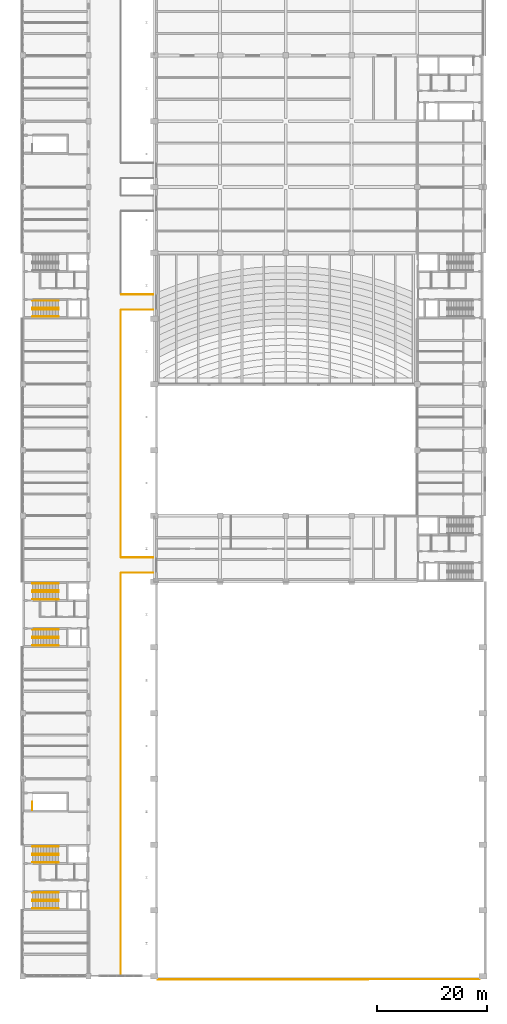
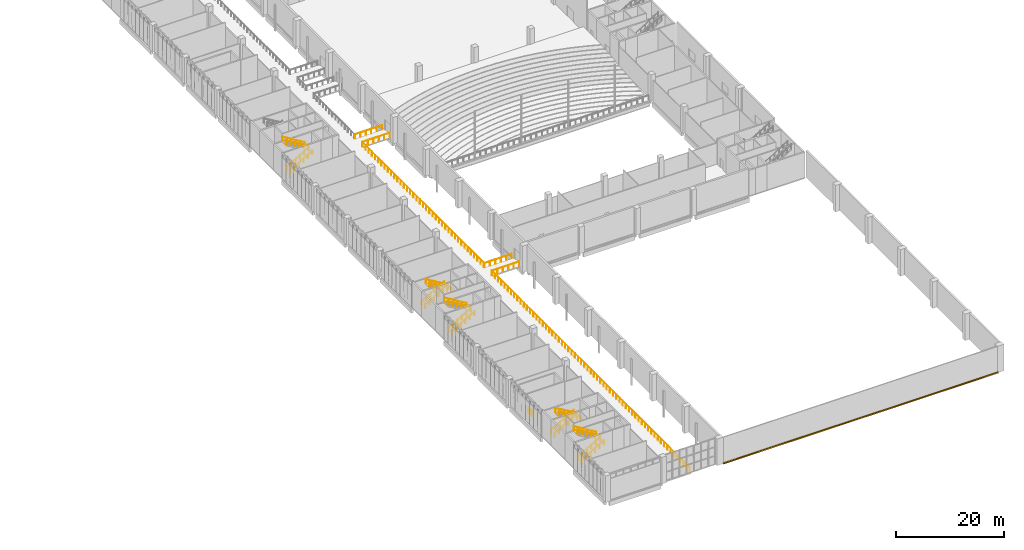
# One storey, part 70 of 72: 27 railings, 1 covering.
"""IFC4 building model written with IfcOpenShell, lengths in metres."""

from ifc_helpers import new_model, si_unit, direction, frame, frame_2d, origin, origin_2d, place, context, subcontext, project, spatial, rectangle, circle, extrude, material, layer, layer_set, constituent, constituent_set, type_object, element, save


model = new_model("IFC4")

# Units and contexts
model_context = context("Model", 3, precision=1e-05, world=origin(), true_north=direction((0.0, 1.0)))
body_context = subcontext(model_context, "Body", "Model", "MODEL_VIEW")
ifc_project = project(units=[si_unit("LENGTHUNIT", "METRE"), si_unit("AREAUNIT", "SQUARE_METRE"), si_unit("VOLUMEUNIT", "CUBIC_METRE"), si_unit("PLANEANGLEUNIT", "RADIAN"), si_unit("MASSUNIT", "GRAM", prefix="KILO")], contexts=[model_context])

# Site, building, storey
site_placement = place(None, origin())
site = spatial("IfcSite", under=ifc_project, at=site_placement, CompositionType="ELEMENT")
building_placement = place(site_placement, origin())
building = spatial("IfcBuilding", under=site, at=building_placement, Name="Lilac Gate Convention Centre", CompositionType="ELEMENT")
storey_placement = place(building_placement, frame((0.0, 0.0, 6.0)))
storey = spatial("IfcBuildingStorey", under=building, at=storey_placement, Name="L01", CompositionType="ELEMENT", Elevation=6.0)

# Covering
ifc_material_1 = material(Name="Concrete C40 precast", Category="concrete")
ifc_layer_1 = layer(ifc_material_1, 0.1298828125)
ifc_material_2 = material(Name="Ochre mineral render")
ifc_layer_2 = layer(ifc_material_2, 0.02001953125)
ifc_layer_set = layer_set([ifc_layer_1, ifc_layer_2], Name="Concrete C40 precast, Ochre mineral render")
covering_type = type_object("IfcCoveringType", Name="Cladding band ochre 150", PredefinedType="CLADDING", material=ifc_layer_set)
covering_placement = place(storey_placement, frame((30.60009765625, 29.375, 0.0), z_axis=(0.0, 0.0, 1.0), x_axis=(1.0, 0.0, 0.0)))
element("IfcCovering", 1, at=covering_placement, inside=storey, type_object=covering_type, Name="Precast band hall south 1", PredefinedType="CLADDING", context=body_context, shape_type="SweptSolid", body=[
    extrude(rectangle(XDim=58.7998046875, YDim=0.14990234375, at=frame_2d((29.39990234375, 0.0))), origin(), (0.0, 0.0, 1.0), 0.300048828125),
])

# Railings
ifc_material_3 = material(Name="Steel Q235B", Category="steel")
ifc_constituent_1 = constituent(ifc_material_3, Name="Frame")
ifc_material_4 = material(Name="Safety glass, bonded interlayer", Category="glass")
ifc_constituent_2 = constituent(ifc_material_4, Name="Infill")
ifc_constituent_set = constituent_set(constituents=[ifc_constituent_1, ifc_constituent_2], Name="Steel Q235B, Safety glass, bonded interlayer")
railing_type_1 = type_object("IfcRailingType", Name="Guard 1100 steel and glass", PredefinedType="GUARDRAIL", material=ifc_constituent_set)
railing_1_placement = place(storey_placement, frame((7.75, 60.300048828125, 0.0)))
element("IfcRailing", 2, at=railing_1_placement, inside=storey, type_object=railing_type_1, Name="Stairwell guard UW1", PredefinedType="GUARDRAIL", context=body_context, shape_type="SweptSolid", body=[
    extrude(circle(Radius=0.02392578125, at=origin_2d()), frame((0.0, 0.0, 1.076171875), z_axis=(0.0, 1.0, 0.0), x_axis=(-1.0, 0.0, 0.0)), (0.0, 0.0, 1.0), 1.5),
    extrude(circle(Radius=0.02099609375, at=origin_2d()), origin(), (0.0, 0.0, 1.0), 1.052001953125),
    extrude(circle(Radius=0.02099609375, at=origin_2d()), frame((0.0, 0.75, 0.0)), (0.0, 0.0, 1.0), 1.052001953125),
    extrude(circle(Radius=0.02099609375, at=origin_2d()), frame((0.0, 1.5, 0.0)), (0.0, 0.0, 1.0), 1.052001953125),
])
railing_2_placement = place(storey_placement, frame((23.89990234375, 30.199951171875, 0.0)))
element("IfcRailing", 3, at=railing_2_placement, inside=storey, type_object=railing_type_1, Name="Gallery guard L01", PredefinedType="GUARDRAIL", context=body_context, shape_type="SweptSolid", body=[
    extrude(circle(Radius=0.02392578125, at=origin_2d()), frame((0.0, 0.0, 1.076171875), z_axis=(0.0, 1.0, 0.0), x_axis=(-1.0, 0.0, 0.0)), (0.0, 0.0, 1.0), 73.300048828125),
    extrude(circle(Radius=0.02099609375, at=origin_2d()), origin(), (0.0, 0.0, 1.0), 1.052001953125),
    extrude(circle(Radius=0.02099609375, at=origin_2d()), frame((0.0, 1.182373046875, 0.0)), (0.0, 0.0, 1.0), 1.052001953125),
    extrude(circle(Radius=0.02099609375, at=origin_2d()), frame((0.0, 2.364501953125, 0.0)), (0.0, 0.0, 1.0), 1.052001953125),
    extrude(circle(Radius=0.02099609375, at=origin_2d()), frame((0.0, 3.546875, 0.0)), (0.0, 0.0, 1.0), 1.052001953125),
    extrude(circle(Radius=0.02099609375, at=origin_2d()), frame((0.0, 4.72900390625, 0.0)), (0.0, 0.0, 1.0), 1.052001953125),
    extrude(circle(Radius=0.02099609375, at=origin_2d()), frame((0.0, 5.911376953125, 0.0)), (0.0, 0.0, 1.0), 1.052001953125),
    extrude(circle(Radius=0.02099609375, at=origin_2d()), frame((0.0, 7.093505859375, 0.0)), (0.0, 0.0, 1.0), 1.052001953125),
    extrude(circle(Radius=0.02099609375, at=origin_2d()), frame((0.0, 8.27587890625, 0.0)), (0.0, 0.0, 1.0), 1.052001953125),
    extrude(circle(Radius=0.02099609375, at=origin_2d()), frame((0.0, 9.4580078125, 0.0)), (0.0, 0.0, 1.0), 1.052001953125),
    extrude(circle(Radius=0.02099609375, at=origin_2d()), frame((0.0, 10.640380859375, 0.0)), (0.0, 0.0, 1.0), 1.052001953125),
    extrude(circle(Radius=0.02099609375, at=origin_2d()), frame((0.0, 11.822509765625, 0.0)), (0.0, 0.0, 1.0), 1.052001953125),
    extrude(circle(Radius=0.02099609375, at=origin_2d()), frame((0.0, 13.0048828125, 0.0)), (0.0, 0.0, 1.0), 1.052001953125),
    extrude(circle(Radius=0.02099609375, at=origin_2d()), frame((0.0, 14.18701171875, 0.0)), (0.0, 0.0, 1.0), 1.052001953125),
    extrude(circle(Radius=0.02099609375, at=origin_2d()), frame((0.0, 15.369384765625, 0.0)), (0.0, 0.0, 1.0), 1.052001953125),
    extrude(circle(Radius=0.02099609375, at=origin_2d()), frame((0.0, 16.551513671875, 0.0)), (0.0, 0.0, 1.0), 1.052001953125),
    extrude(circle(Radius=0.02099609375, at=origin_2d()), frame((0.0, 17.73388671875, 0.0)), (0.0, 0.0, 1.0), 1.052001953125),
    extrude(circle(Radius=0.02099609375, at=origin_2d()), frame((0.0, 18.916259765625, 0.0)), (0.0, 0.0, 1.0), 1.052001953125),
    extrude(circle(Radius=0.02099609375, at=origin_2d()), frame((0.0, 20.098388671875, 0.0)), (0.0, 0.0, 1.0), 1.052001953125),
    extrude(circle(Radius=0.02099609375, at=origin_2d()), frame((0.0, 21.28076171875, 0.0)), (0.0, 0.0, 1.0), 1.052001953125),
    extrude(circle(Radius=0.02099609375, at=origin_2d()), frame((0.0, 22.462890625, 0.0)), (0.0, 0.0, 1.0), 1.052001953125),
    extrude(circle(Radius=0.02099609375, at=origin_2d()), frame((0.0, 23.645263671875, 0.0)), (0.0, 0.0, 1.0), 1.052001953125),
    extrude(circle(Radius=0.02099609375, at=origin_2d()), frame((0.0, 24.827392578125, 0.0)), (0.0, 0.0, 1.0), 1.052001953125),
    extrude(circle(Radius=0.02099609375, at=origin_2d()), frame((0.0, 26.009765625, 0.0)), (0.0, 0.0, 1.0), 1.052001953125),
    extrude(circle(Radius=0.02099609375, at=origin_2d()), frame((0.0, 27.19189453125, 0.0)), (0.0, 0.0, 1.0), 1.052001953125),
    extrude(circle(Radius=0.02099609375, at=origin_2d()), frame((0.0, 28.374267578125, 0.0)), (0.0, 0.0, 1.0), 1.052001953125),
    extrude(circle(Radius=0.02099609375, at=origin_2d()), frame((0.0, 29.556396484375, 0.0)), (0.0, 0.0, 1.0), 1.052001953125),
    extrude(circle(Radius=0.02099609375, at=origin_2d()), frame((0.0, 30.73876953125, 0.0)), (0.0, 0.0, 1.0), 1.052001953125),
    extrude(circle(Radius=0.02099609375, at=origin_2d()), frame((0.0, 31.9208984375, 0.0)), (0.0, 0.0, 1.0), 1.052001953125),
    extrude(circle(Radius=0.02099609375, at=origin_2d()), frame((0.0, 33.103271484375, 0.0)), (0.0, 0.0, 1.0), 1.052001953125),
    extrude(circle(Radius=0.02099609375, at=origin_2d()), frame((0.0, 34.285400390625, 0.0)), (0.0, 0.0, 1.0), 1.052001953125),
    extrude(circle(Radius=0.02099609375, at=origin_2d()), frame((0.0, 35.4677734375, 0.0)), (0.0, 0.0, 1.0), 1.052001953125),
    extrude(circle(Radius=0.02099609375, at=origin_2d()), frame((0.0, 36.64990234375, 0.0)), (0.0, 0.0, 1.0), 1.052001953125),
    extrude(circle(Radius=0.02099609375, at=origin_2d()), frame((0.0, 37.832275390625, 0.0)), (0.0, 0.0, 1.0), 1.052001953125),
    extrude(circle(Radius=0.02099609375, at=origin_2d()), frame((0.0, 39.0146484375, 0.0)), (0.0, 0.0, 1.0), 1.052001953125),
    extrude(circle(Radius=0.02099609375, at=origin_2d()), frame((0.0, 40.19677734375, 0.0)), (0.0, 0.0, 1.0), 1.052001953125),
    extrude(circle(Radius=0.02099609375, at=origin_2d()), frame((0.0, 41.379150390625, 0.0)), (0.0, 0.0, 1.0), 1.052001953125),
    extrude(circle(Radius=0.02099609375, at=origin_2d()), frame((0.0, 42.561279296875, 0.0)), (0.0, 0.0, 1.0), 1.052001953125),
    extrude(circle(Radius=0.02099609375, at=origin_2d()), frame((0.0, 43.74365234375, 0.0)), (0.0, 0.0, 1.0), 1.052001953125),
    extrude(circle(Radius=0.02099609375, at=origin_2d()), frame((0.0, 44.92578125, 0.0)), (0.0, 0.0, 1.0), 1.052001953125),
    extrude(circle(Radius=0.02099609375, at=origin_2d()), frame((0.0, 46.108154296875, 0.0)), (0.0, 0.0, 1.0), 1.052001953125),
    extrude(circle(Radius=0.02099609375, at=origin_2d()), frame((0.0, 47.290283203125, 0.0)), (0.0, 0.0, 1.0), 1.052001953125),
    extrude(circle(Radius=0.02099609375, at=origin_2d()), frame((0.0, 48.47265625, 0.0)), (0.0, 0.0, 1.0), 1.052001953125),
    extrude(circle(Radius=0.02099609375, at=origin_2d()), frame((0.0, 49.65478515625, 0.0)), (0.0, 0.0, 1.0), 1.052001953125),
    extrude(circle(Radius=0.02099609375, at=origin_2d()), frame((0.0, 50.837158203125, 0.0)), (0.0, 0.0, 1.0), 1.052001953125),
    extrude(circle(Radius=0.02099609375, at=origin_2d()), frame((0.0, 52.019287109375, 0.0)), (0.0, 0.0, 1.0), 1.052001953125),
    extrude(circle(Radius=0.02099609375, at=origin_2d()), frame((0.0, 53.20166015625, 0.0)), (0.0, 0.0, 1.0), 1.052001953125),
    extrude(circle(Radius=0.02099609375, at=origin_2d()), frame((0.0, 54.3837890625, 0.0)), (0.0, 0.0, 1.0), 1.052001953125),
    extrude(circle(Radius=0.02099609375, at=origin_2d()), frame((0.0, 55.566162109375, 0.0)), (0.0, 0.0, 1.0), 1.052001953125),
    extrude(circle(Radius=0.02099609375, at=origin_2d()), frame((0.0, 56.74853515625, 0.0)), (0.0, 0.0, 1.0), 1.052001953125),
    extrude(circle(Radius=0.02099609375, at=origin_2d()), frame((0.0, 57.9306640625, 0.0)), (0.0, 0.0, 1.0), 1.052001953125),
    extrude(circle(Radius=0.02099609375, at=origin_2d()), frame((0.0, 59.113037109375, 0.0)), (0.0, 0.0, 1.0), 1.052001953125),
    extrude(circle(Radius=0.02099609375, at=origin_2d()), frame((0.0, 60.295166015625, 0.0)), (0.0, 0.0, 1.0), 1.052001953125),
    extrude(circle(Radius=0.02099609375, at=origin_2d()), frame((0.0, 61.4775390625, 0.0)), (0.0, 0.0, 1.0), 1.052001953125),
    extrude(circle(Radius=0.02099609375, at=origin_2d()), frame((0.0, 62.65966796875, 0.0)), (0.0, 0.0, 1.0), 1.052001953125),
    extrude(circle(Radius=0.02099609375, at=origin_2d()), frame((0.0, 63.842041015625, 0.0)), (0.0, 0.0, 1.0), 1.052001953125),
    extrude(circle(Radius=0.02099609375, at=origin_2d()), frame((0.0, 65.024169921875, 0.0)), (0.0, 0.0, 1.0), 1.052001953125),
    extrude(circle(Radius=0.02099609375, at=origin_2d()), frame((0.0, 66.20654296875, 0.0)), (0.0, 0.0, 1.0), 1.052001953125),
    extrude(circle(Radius=0.02099609375, at=origin_2d()), frame((0.0, 67.388671875, 0.0)), (0.0, 0.0, 1.0), 1.052001953125),
    extrude(circle(Radius=0.02099609375, at=origin_2d()), frame((0.0, 68.571044921875, 0.0)), (0.0, 0.0, 1.0), 1.052001953125),
    extrude(circle(Radius=0.02099609375, at=origin_2d()), frame((0.0, 69.753173828125, 0.0)), (0.0, 0.0, 1.0), 1.052001953125),
    extrude(circle(Radius=0.02099609375, at=origin_2d()), frame((0.0, 70.935546875, 0.0)), (0.0, 0.0, 1.0), 1.052001953125),
    extrude(circle(Radius=0.02099609375, at=origin_2d()), frame((0.0, 72.11767578125, 0.0)), (0.0, 0.0, 1.0), 1.052001953125),
    extrude(circle(Radius=0.02099609375, at=origin_2d()), frame((0.0, 73.300048828125, 0.0)), (0.0, 0.0, 1.0), 1.052001953125),
])
railing_3_placement = place(storey_placement, frame((23.89990234375, 106.5, 0.0)))
element("IfcRailing", 4, at=railing_3_placement, inside=storey, type_object=railing_type_1, Name="Gallery guard L01", PredefinedType="GUARDRAIL", context=body_context, shape_type="SweptSolid", body=[
    extrude(circle(Radius=0.02392578125, at=origin_2d()), frame((0.0, 0.0, 1.076171875), z_axis=(0.0, 1.0, 0.0), x_axis=(-1.0, 0.0, 0.0)), (0.0, 0.0, 1.0), 45.0),
    extrude(circle(Radius=0.02099609375, at=origin_2d()), origin(), (0.0, 0.0, 1.0), 1.052001953125),
    extrude(circle(Radius=0.02099609375, at=origin_2d()), frame((0.0, 1.184326171875, 0.0)), (0.0, 0.0, 1.0), 1.052001953125),
    extrude(circle(Radius=0.02099609375, at=origin_2d()), frame((0.0, 2.368408203125, 0.0)), (0.0, 0.0, 1.0), 1.052001953125),
    extrude(circle(Radius=0.02099609375, at=origin_2d()), frame((0.0, 3.552734375, 0.0)), (0.0, 0.0, 1.0), 1.052001953125),
    extrude(circle(Radius=0.02099609375, at=origin_2d()), frame((0.0, 4.73681640625, 0.0)), (0.0, 0.0, 1.0), 1.052001953125),
    extrude(circle(Radius=0.02099609375, at=origin_2d()), frame((0.0, 5.921142578125, 0.0)), (0.0, 0.0, 1.0), 1.052001953125),
    extrude(circle(Radius=0.02099609375, at=origin_2d()), frame((0.0, 7.105224609375, 0.0)), (0.0, 0.0, 1.0), 1.052001953125),
    extrude(circle(Radius=0.02099609375, at=origin_2d()), frame((0.0, 8.28955078125, 0.0)), (0.0, 0.0, 1.0), 1.052001953125),
    extrude(circle(Radius=0.02099609375, at=origin_2d()), frame((0.0, 9.4736328125, 0.0)), (0.0, 0.0, 1.0), 1.052001953125),
    extrude(circle(Radius=0.02099609375, at=origin_2d()), frame((0.0, 10.657958984375, 0.0)), (0.0, 0.0, 1.0), 1.052001953125),
    extrude(circle(Radius=0.02099609375, at=origin_2d()), frame((0.0, 11.842041015625, 0.0)), (0.0, 0.0, 1.0), 1.052001953125),
    extrude(circle(Radius=0.02099609375, at=origin_2d()), frame((0.0, 13.0263671875, 0.0)), (0.0, 0.0, 1.0), 1.052001953125),
    extrude(circle(Radius=0.02099609375, at=origin_2d()), frame((0.0, 14.21044921875, 0.0)), (0.0, 0.0, 1.0), 1.052001953125),
    extrude(circle(Radius=0.02099609375, at=origin_2d()), frame((0.0, 15.394775390625, 0.0)), (0.0, 0.0, 1.0), 1.052001953125),
    extrude(circle(Radius=0.02099609375, at=origin_2d()), frame((0.0, 16.578857421875, 0.0)), (0.0, 0.0, 1.0), 1.052001953125),
    extrude(circle(Radius=0.02099609375, at=origin_2d()), frame((0.0, 17.76318359375, 0.0)), (0.0, 0.0, 1.0), 1.052001953125),
    extrude(circle(Radius=0.02099609375, at=origin_2d()), frame((0.0, 18.947265625, 0.0)), (0.0, 0.0, 1.0), 1.052001953125),
    extrude(circle(Radius=0.02099609375, at=origin_2d()), frame((0.0, 20.131591796875, 0.0)), (0.0, 0.0, 1.0), 1.052001953125),
    extrude(circle(Radius=0.02099609375, at=origin_2d()), frame((0.0, 21.315673828125, 0.0)), (0.0, 0.0, 1.0), 1.052001953125),
    extrude(circle(Radius=0.02099609375, at=origin_2d()), frame((0.0, 22.5, 0.0)), (0.0, 0.0, 1.0), 1.052001953125),
    extrude(circle(Radius=0.02099609375, at=origin_2d()), frame((0.0, 23.684326171875, 0.0)), (0.0, 0.0, 1.0), 1.052001953125),
    extrude(circle(Radius=0.02099609375, at=origin_2d()), frame((0.0, 24.868408203125, 0.0)), (0.0, 0.0, 1.0), 1.052001953125),
    extrude(circle(Radius=0.02099609375, at=origin_2d()), frame((0.0, 26.052734375, 0.0)), (0.0, 0.0, 1.0), 1.052001953125),
    extrude(circle(Radius=0.02099609375, at=origin_2d()), frame((0.0, 27.23681640625, 0.0)), (0.0, 0.0, 1.0), 1.052001953125),
    extrude(circle(Radius=0.02099609375, at=origin_2d()), frame((0.0, 28.421142578125, 0.0)), (0.0, 0.0, 1.0), 1.052001953125),
    extrude(circle(Radius=0.02099609375, at=origin_2d()), frame((0.0, 29.605224609375, 0.0)), (0.0, 0.0, 1.0), 1.052001953125),
    extrude(circle(Radius=0.02099609375, at=origin_2d()), frame((0.0, 30.78955078125, 0.0)), (0.0, 0.0, 1.0), 1.052001953125),
    extrude(circle(Radius=0.02099609375, at=origin_2d()), frame((0.0, 31.9736328125, 0.0)), (0.0, 0.0, 1.0), 1.052001953125),
    extrude(circle(Radius=0.02099609375, at=origin_2d()), frame((0.0, 33.157958984375, 0.0)), (0.0, 0.0, 1.0), 1.052001953125),
    extrude(circle(Radius=0.02099609375, at=origin_2d()), frame((0.0, 34.342041015625, 0.0)), (0.0, 0.0, 1.0), 1.052001953125),
    extrude(circle(Radius=0.02099609375, at=origin_2d()), frame((0.0, 35.5263671875, 0.0)), (0.0, 0.0, 1.0), 1.052001953125),
    extrude(circle(Radius=0.02099609375, at=origin_2d()), frame((0.0, 36.71044921875, 0.0)), (0.0, 0.0, 1.0), 1.052001953125),
    extrude(circle(Radius=0.02099609375, at=origin_2d()), frame((0.0, 37.894775390625, 0.0)), (0.0, 0.0, 1.0), 1.052001953125),
    extrude(circle(Radius=0.02099609375, at=origin_2d()), frame((0.0, 39.078857421875, 0.0)), (0.0, 0.0, 1.0), 1.052001953125),
    extrude(circle(Radius=0.02099609375, at=origin_2d()), frame((0.0, 40.26318359375, 0.0)), (0.0, 0.0, 1.0), 1.052001953125),
    extrude(circle(Radius=0.02099609375, at=origin_2d()), frame((0.0, 41.447265625, 0.0)), (0.0, 0.0, 1.0), 1.052001953125),
    extrude(circle(Radius=0.02099609375, at=origin_2d()), frame((0.0, 42.631591796875, 0.0)), (0.0, 0.0, 1.0), 1.052001953125),
    extrude(circle(Radius=0.02099609375, at=origin_2d()), frame((0.0, 43.815673828125, 0.0)), (0.0, 0.0, 1.0), 1.052001953125),
    extrude(circle(Radius=0.02099609375, at=origin_2d()), frame((0.0, 45.0, 0.0)), (0.0, 0.0, 1.0), 1.052001953125),
])
for number, where, name in (
    (5, (24.0, 103.60009765625, 0.0), "Bridge guard L01"),
    (6, (24.0, 106.39990234375, 0.0), "Bridge guard L01"),
    (7, (24.0, 151.60009765625, 0.0), "Bridge guard L01"),
    (8, (24.0, 154.39990234375, 0.0), "Bridge guard L01"),
):
    element("IfcRailing", number, at=place(storey_placement, frame(where)), inside=storey, type_object=railing_type_1, Name=name, PredefinedType="GUARDRAIL", context=body_context, shape_type="SweptSolid", body=[
        extrude(circle(Radius=0.02392578125, at=origin_2d()), frame((0.0, 0.0, 1.076171875), z_axis=(1.0, 0.0, 0.0), x_axis=(0.0, 1.0, 0.0)), (0.0, 0.0, 1.0), 5.800048828125),
        extrude(circle(Radius=0.02099609375, at=origin_2d()), origin(), (0.0, 0.0, 1.0), 1.052001953125),
        extrude(circle(Radius=0.02099609375, at=origin_2d()), frame((1.159912109375, 0.0, 0.0)), (0.0, 0.0, 1.0), 1.052001953125),
        extrude(circle(Radius=0.02099609375, at=origin_2d()), frame((2.320068359375, 0.0, 0.0)), (0.0, 0.0, 1.0), 1.052001953125),
        extrude(circle(Radius=0.02099609375, at=origin_2d()), frame((3.47998046875, 0.0, 0.0)), (0.0, 0.0, 1.0), 1.052001953125),
        extrude(circle(Radius=0.02099609375, at=origin_2d()), frame((4.64013671875, 0.0, 0.0)), (0.0, 0.0, 1.0), 1.052001953125),
        extrude(circle(Radius=0.02099609375, at=origin_2d()), frame((5.800048828125, 0.0, 0.0)), (0.0, 0.0, 1.0), 1.052001953125),
    ])
ifc_material_5 = material(Name="Stainless steel 304", Category="steel")
railing_type_2 = type_object("IfcRailingType", Name="Stair handrail 900", PredefinedType="HANDRAIL", material=ifc_material_5)
for number, where, name in (
    (9, (7.800048828125, 42.35009765625, 0.166748046875), "Stair handrail W1A"),
    (10, (7.800048828125, 43.64990234375, 0.166748046875), "Stair handrail W1A"),
):
    element("IfcRailing", number, at=place(storey_placement, frame(where)), inside=storey, type_object=railing_type_2, Name=name, PredefinedType="HANDRAIL", context=body_context, shape_type="SweptSolid", body=[
        extrude(circle(Radius=0.02392578125, at=origin_2d()), frame((0.0, 0.0, 0.8759765625), z_axis=(0.859299802514, 0.0, 0.511472237174), x_axis=(0.0, 1.0, 0.0)), (0.0, 0.0, 1.0), 5.539306640625),
        extrude(circle(Radius=0.02099609375, at=origin_2d()), origin(), (0.0, 0.0, 1.0), 0.851806640625),
        extrude(circle(Radius=0.02099609375, at=origin_2d()), frame((0.951904296875, 0.0, 0.566650390625)), (0.0, 0.0, 1.0), 0.851806640625),
        extrude(circle(Radius=0.02099609375, at=origin_2d()), frame((1.904052734375, 0.0, 1.13330078125)), (0.0, 0.0, 1.0), 0.851806640625),
        extrude(circle(Radius=0.02099609375, at=origin_2d()), frame((2.85595703125, 0.0, 1.699951171875)), (0.0, 0.0, 1.0), 0.851806640625),
        extrude(circle(Radius=0.02099609375, at=origin_2d()), frame((3.80810546875, 0.0, 2.2666015625)), (0.0, 0.0, 1.0), 0.851806640625),
        extrude(circle(Radius=0.02099609375, at=origin_2d()), frame((4.760009765625, 0.0, 2.833251953125)), (0.0, 0.0, 1.0), 0.851806640625),
    ])
for number, where, name in (
    (11, (12.56005859375, 43.949951171875, 3.166748046875), "Stair handrail W1A"),
    (12, (12.56005859375, 45.25, 3.166748046875), "Stair handrail W1A"),
):
    element("IfcRailing", number, at=place(storey_placement, frame(where)), inside=storey, type_object=railing_type_2, Name=name, PredefinedType="HANDRAIL", context=body_context, shape_type="SweptSolid", body=[
        extrude(circle(Radius=0.02392578125, at=origin_2d()), frame((0.0, 0.0, 0.8759765625), z_axis=(-0.859299802514, 0.0, 0.511472237174), x_axis=(0.0, -1.0, 0.0)), (0.0, 0.0, 1.0), 5.539306640625),
        extrude(circle(Radius=0.02099609375, at=origin_2d()), origin(), (0.0, 0.0, 1.0), 0.851806640625),
        extrude(circle(Radius=0.02099609375, at=origin_2d()), frame((-0.951904296875, 0.0, 0.566650390625)), (0.0, 0.0, 1.0), 0.851806640625),
        extrude(circle(Radius=0.02099609375, at=origin_2d()), frame((-1.904052734375, 0.0, 1.13330078125)), (0.0, 0.0, 1.0), 0.851806640625),
        extrude(circle(Radius=0.02099609375, at=origin_2d()), frame((-2.85595703125, 0.0, 1.699951171875)), (0.0, 0.0, 1.0), 0.851806640625),
        extrude(circle(Radius=0.02099609375, at=origin_2d()), frame((-3.80810546875, 0.0, 2.2666015625)), (0.0, 0.0, 1.0), 0.851806640625),
        extrude(circle(Radius=0.02099609375, at=origin_2d()), frame((-4.760009765625, 0.0, 2.833251953125)), (0.0, 0.0, 1.0), 0.851806640625),
    ])
for number, where, name in (
    (13, (7.800048828125, 52.35009765625, 0.166748046875), "Stair handrail W1B"),
    (14, (7.800048828125, 53.64990234375, 0.166748046875), "Stair handrail W1B"),
):
    element("IfcRailing", number, at=place(storey_placement, frame(where)), inside=storey, type_object=railing_type_2, Name=name, PredefinedType="HANDRAIL", context=body_context, shape_type="SweptSolid", body=[
        extrude(circle(Radius=0.02392578125, at=origin_2d()), frame((0.0, 0.0, 0.8759765625), z_axis=(0.859299802514, 0.0, 0.511472237174), x_axis=(0.0, 1.0, 0.0)), (0.0, 0.0, 1.0), 5.539306640625),
        extrude(circle(Radius=0.02099609375, at=origin_2d()), origin(), (0.0, 0.0, 1.0), 0.851806640625),
        extrude(circle(Radius=0.02099609375, at=origin_2d()), frame((0.951904296875, 0.0, 0.566650390625)), (0.0, 0.0, 1.0), 0.851806640625),
        extrude(circle(Radius=0.02099609375, at=origin_2d()), frame((1.904052734375, 0.0, 1.13330078125)), (0.0, 0.0, 1.0), 0.851806640625),
        extrude(circle(Radius=0.02099609375, at=origin_2d()), frame((2.85595703125, 0.0, 1.699951171875)), (0.0, 0.0, 1.0), 0.851806640625),
        extrude(circle(Radius=0.02099609375, at=origin_2d()), frame((3.80810546875, 0.0, 2.2666015625)), (0.0, 0.0, 1.0), 0.851806640625),
        extrude(circle(Radius=0.02099609375, at=origin_2d()), frame((4.760009765625, 0.0, 2.833251953125)), (0.0, 0.0, 1.0), 0.851806640625),
    ])
for number, where, name in (
    (15, (12.56005859375, 50.75, 3.166748046875), "Stair handrail W1B"),
    (16, (12.56005859375, 52.050048828125, 3.166748046875), "Stair handrail W1B"),
):
    element("IfcRailing", number, at=place(storey_placement, frame(where)), inside=storey, type_object=railing_type_2, Name=name, PredefinedType="HANDRAIL", context=body_context, shape_type="SweptSolid", body=[
        extrude(circle(Radius=0.02392578125, at=origin_2d()), frame((0.0, 0.0, 0.8759765625), z_axis=(-0.859299802514, 0.0, 0.511472237174), x_axis=(0.0, -1.0, 0.0)), (0.0, 0.0, 1.0), 5.539306640625),
        extrude(circle(Radius=0.02099609375, at=origin_2d()), origin(), (0.0, 0.0, 1.0), 0.851806640625),
        extrude(circle(Radius=0.02099609375, at=origin_2d()), frame((-0.951904296875, 0.0, 0.566650390625)), (0.0, 0.0, 1.0), 0.851806640625),
        extrude(circle(Radius=0.02099609375, at=origin_2d()), frame((-1.904052734375, 0.0, 1.13330078125)), (0.0, 0.0, 1.0), 0.851806640625),
        extrude(circle(Radius=0.02099609375, at=origin_2d()), frame((-2.85595703125, 0.0, 1.699951171875)), (0.0, 0.0, 1.0), 0.851806640625),
        extrude(circle(Radius=0.02099609375, at=origin_2d()), frame((-3.80810546875, 0.0, 2.2666015625)), (0.0, 0.0, 1.0), 0.851806640625),
        extrude(circle(Radius=0.02099609375, at=origin_2d()), frame((-4.760009765625, 0.0, 2.833251953125)), (0.0, 0.0, 1.0), 0.851806640625),
    ])
for number, where, name in (
    (17, (7.800048828125, 90.35009765625, 0.166748046875), "Stair handrail W2A"),
    (18, (7.800048828125, 91.64990234375, 0.166748046875), "Stair handrail W2A"),
):
    element("IfcRailing", number, at=place(storey_placement, frame(where)), inside=storey, type_object=railing_type_2, Name=name, PredefinedType="HANDRAIL", context=body_context, shape_type="SweptSolid", body=[
        extrude(circle(Radius=0.02392578125, at=origin_2d()), frame((0.0, 0.0, 0.8759765625), z_axis=(0.859299802514, 0.0, 0.511472237174), x_axis=(0.0, 1.0, 0.0)), (0.0, 0.0, 1.0), 5.539306640625),
        extrude(circle(Radius=0.02099609375, at=origin_2d()), origin(), (0.0, 0.0, 1.0), 0.851806640625),
        extrude(circle(Radius=0.02099609375, at=origin_2d()), frame((0.951904296875, 0.0, 0.566650390625)), (0.0, 0.0, 1.0), 0.851806640625),
        extrude(circle(Radius=0.02099609375, at=origin_2d()), frame((1.904052734375, 0.0, 1.13330078125)), (0.0, 0.0, 1.0), 0.851806640625),
        extrude(circle(Radius=0.02099609375, at=origin_2d()), frame((2.85595703125, 0.0, 1.699951171875)), (0.0, 0.0, 1.0), 0.851806640625),
        extrude(circle(Radius=0.02099609375, at=origin_2d()), frame((3.80810546875, 0.0, 2.2666015625)), (0.0, 0.0, 1.0), 0.851806640625),
        extrude(circle(Radius=0.02099609375, at=origin_2d()), frame((4.760009765625, 0.0, 2.833251953125)), (0.0, 0.0, 1.0), 0.851806640625),
    ])
for number, where, name in (
    (19, (12.56005859375, 91.949951171875, 3.166748046875), "Stair handrail W2A"),
    (20, (12.56005859375, 93.25, 3.166748046875), "Stair handrail W2A"),
):
    element("IfcRailing", number, at=place(storey_placement, frame(where)), inside=storey, type_object=railing_type_2, Name=name, PredefinedType="HANDRAIL", context=body_context, shape_type="SweptSolid", body=[
        extrude(circle(Radius=0.02392578125, at=origin_2d()), frame((0.0, 0.0, 0.8759765625), z_axis=(-0.859299802514, 0.0, 0.511472237174), x_axis=(0.0, -1.0, 0.0)), (0.0, 0.0, 1.0), 5.539306640625),
        extrude(circle(Radius=0.02099609375, at=origin_2d()), origin(), (0.0, 0.0, 1.0), 0.851806640625),
        extrude(circle(Radius=0.02099609375, at=origin_2d()), frame((-0.951904296875, 0.0, 0.566650390625)), (0.0, 0.0, 1.0), 0.851806640625),
        extrude(circle(Radius=0.02099609375, at=origin_2d()), frame((-1.904052734375, 0.0, 1.13330078125)), (0.0, 0.0, 1.0), 0.851806640625),
        extrude(circle(Radius=0.02099609375, at=origin_2d()), frame((-2.85595703125, 0.0, 1.699951171875)), (0.0, 0.0, 1.0), 0.851806640625),
        extrude(circle(Radius=0.02099609375, at=origin_2d()), frame((-3.80810546875, 0.0, 2.2666015625)), (0.0, 0.0, 1.0), 0.851806640625),
        extrude(circle(Radius=0.02099609375, at=origin_2d()), frame((-4.760009765625, 0.0, 2.833251953125)), (0.0, 0.0, 1.0), 0.851806640625),
    ])
for number, where, name in (
    (21, (7.800048828125, 100.35009765625, 0.166748046875), "Stair handrail W2B"),
    (22, (7.800048828125, 101.64990234375, 0.166748046875), "Stair handrail W2B"),
):
    element("IfcRailing", number, at=place(storey_placement, frame(where)), inside=storey, type_object=railing_type_2, Name=name, PredefinedType="HANDRAIL", context=body_context, shape_type="SweptSolid", body=[
        extrude(circle(Radius=0.02392578125, at=origin_2d()), frame((0.0, 0.0, 0.8759765625), z_axis=(0.859299802514, 0.0, 0.511472237174), x_axis=(0.0, 1.0, 0.0)), (0.0, 0.0, 1.0), 5.539306640625),
        extrude(circle(Radius=0.02099609375, at=origin_2d()), origin(), (0.0, 0.0, 1.0), 0.851806640625),
        extrude(circle(Radius=0.02099609375, at=origin_2d()), frame((0.951904296875, 0.0, 0.566650390625)), (0.0, 0.0, 1.0), 0.851806640625),
        extrude(circle(Radius=0.02099609375, at=origin_2d()), frame((1.904052734375, 0.0, 1.13330078125)), (0.0, 0.0, 1.0), 0.851806640625),
        extrude(circle(Radius=0.02099609375, at=origin_2d()), frame((2.85595703125, 0.0, 1.699951171875)), (0.0, 0.0, 1.0), 0.851806640625),
        extrude(circle(Radius=0.02099609375, at=origin_2d()), frame((3.80810546875, 0.0, 2.2666015625)), (0.0, 0.0, 1.0), 0.851806640625),
        extrude(circle(Radius=0.02099609375, at=origin_2d()), frame((4.760009765625, 0.0, 2.833251953125)), (0.0, 0.0, 1.0), 0.851806640625),
    ])
for number, where, name in (
    (23, (12.56005859375, 98.75, 3.166748046875), "Stair handrail W2B"),
    (24, (12.56005859375, 100.050048828125, 3.166748046875), "Stair handrail W2B"),
):
    element("IfcRailing", number, at=place(storey_placement, frame(where)), inside=storey, type_object=railing_type_2, Name=name, PredefinedType="HANDRAIL", context=body_context, shape_type="SweptSolid", body=[
        extrude(circle(Radius=0.02392578125, at=origin_2d()), frame((0.0, 0.0, 0.8759765625), z_axis=(-0.859299802514, 0.0, 0.511472237174), x_axis=(0.0, -1.0, 0.0)), (0.0, 0.0, 1.0), 5.539306640625),
        extrude(circle(Radius=0.02099609375, at=origin_2d()), origin(), (0.0, 0.0, 1.0), 0.851806640625),
        extrude(circle(Radius=0.02099609375, at=origin_2d()), frame((-0.951904296875, 0.0, 0.566650390625)), (0.0, 0.0, 1.0), 0.851806640625),
        extrude(circle(Radius=0.02099609375, at=origin_2d()), frame((-1.904052734375, 0.0, 1.13330078125)), (0.0, 0.0, 1.0), 0.851806640625),
        extrude(circle(Radius=0.02099609375, at=origin_2d()), frame((-2.85595703125, 0.0, 1.699951171875)), (0.0, 0.0, 1.0), 0.851806640625),
        extrude(circle(Radius=0.02099609375, at=origin_2d()), frame((-3.80810546875, 0.0, 2.2666015625)), (0.0, 0.0, 1.0), 0.851806640625),
        extrude(circle(Radius=0.02099609375, at=origin_2d()), frame((-4.760009765625, 0.0, 2.833251953125)), (0.0, 0.0, 1.0), 0.851806640625),
    ])
for number, where, name in (
    (25, (7.800048828125, 150.35009765625, 0.166748046875), "Stair handrail W3A"),
    (26, (7.800048828125, 151.64990234375, 0.166748046875), "Stair handrail W3A"),
):
    element("IfcRailing", number, at=place(storey_placement, frame(where)), inside=storey, type_object=railing_type_2, Name=name, PredefinedType="HANDRAIL", context=body_context, shape_type="SweptSolid", body=[
        extrude(circle(Radius=0.02392578125, at=origin_2d()), frame((0.0, 0.0, 0.8759765625), z_axis=(0.859299802514, 0.0, 0.511472237174), x_axis=(0.0, 1.0, 0.0)), (0.0, 0.0, 1.0), 5.539306640625),
        extrude(circle(Radius=0.02099609375, at=origin_2d()), origin(), (0.0, 0.0, 1.0), 0.851806640625),
        extrude(circle(Radius=0.02099609375, at=origin_2d()), frame((0.951904296875, 0.0, 0.566650390625)), (0.0, 0.0, 1.0), 0.851806640625),
        extrude(circle(Radius=0.02099609375, at=origin_2d()), frame((1.904052734375, 0.0, 1.13330078125)), (0.0, 0.0, 1.0), 0.851806640625),
        extrude(circle(Radius=0.02099609375, at=origin_2d()), frame((2.85595703125, 0.0, 1.699951171875)), (0.0, 0.0, 1.0), 0.851806640625),
        extrude(circle(Radius=0.02099609375, at=origin_2d()), frame((3.80810546875, 0.0, 2.2666015625)), (0.0, 0.0, 1.0), 0.851806640625),
        extrude(circle(Radius=0.02099609375, at=origin_2d()), frame((4.760009765625, 0.0, 2.833251953125)), (0.0, 0.0, 1.0), 0.851806640625),
    ])
for number, where, name in (
    (27, (12.56005859375, 151.949951171875, 3.166748046875), "Stair handrail W3A"),
    (28, (12.56005859375, 153.25, 3.166748046875), "Stair handrail W3A"),
):
    element("IfcRailing", number, at=place(storey_placement, frame(where)), inside=storey, type_object=railing_type_2, Name=name, PredefinedType="HANDRAIL", context=body_context, shape_type="SweptSolid", body=[
        extrude(circle(Radius=0.02392578125, at=origin_2d()), frame((0.0, 0.0, 0.8759765625), z_axis=(-0.859299802514, 0.0, 0.511472237174), x_axis=(0.0, -1.0, 0.0)), (0.0, 0.0, 1.0), 5.539306640625),
        extrude(circle(Radius=0.02099609375, at=origin_2d()), origin(), (0.0, 0.0, 1.0), 0.851806640625),
        extrude(circle(Radius=0.02099609375, at=origin_2d()), frame((-0.951904296875, 0.0, 0.566650390625)), (0.0, 0.0, 1.0), 0.851806640625),
        extrude(circle(Radius=0.02099609375, at=origin_2d()), frame((-1.904052734375, 0.0, 1.13330078125)), (0.0, 0.0, 1.0), 0.851806640625),
        extrude(circle(Radius=0.02099609375, at=origin_2d()), frame((-2.85595703125, 0.0, 1.699951171875)), (0.0, 0.0, 1.0), 0.851806640625),
        extrude(circle(Radius=0.02099609375, at=origin_2d()), frame((-3.80810546875, 0.0, 2.2666015625)), (0.0, 0.0, 1.0), 0.851806640625),
        extrude(circle(Radius=0.02099609375, at=origin_2d()), frame((-4.760009765625, 0.0, 2.833251953125)), (0.0, 0.0, 1.0), 0.851806640625),
    ])

save(model, "model.ifc")
